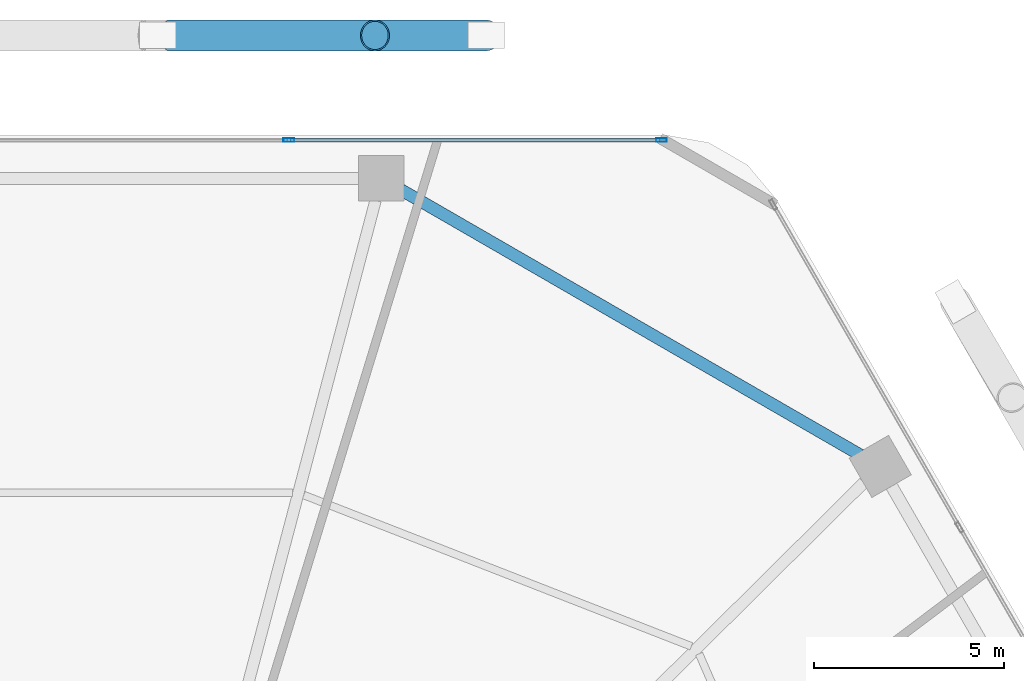
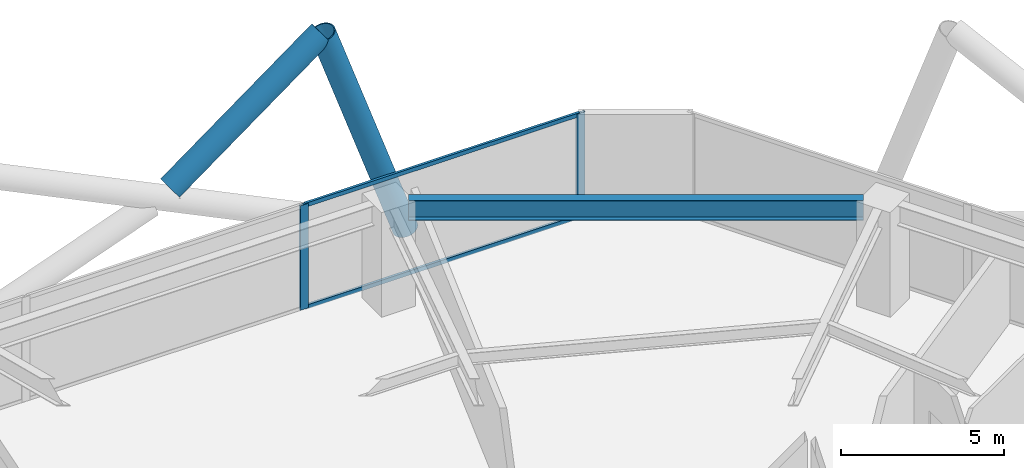
# One storey, part 22 of 29: 6 members, 1 beam, 1 element without a shape of its own.
"""IFC4 building model written with IfcOpenShell, lengths in metres."""

from ifc_helpers import new_model, si_unit, direction, frame, origin, origin_2d, place, context, subcontext, project, spatial, hollow_rectangle, hollow_circle, i_section, extrude, material, material_profile, profile_set, type_object, element, aggregate, save


model = new_model("IFC4")

# Units and contexts
model_context = context("Model", 3, precision=1e-05, world=origin(), true_north=direction((0.0, 1.0)))
body_context = subcontext(model_context, "Body", "Model", "MODEL_VIEW")
ifc_project = project(units=[si_unit("LENGTHUNIT", "METRE"), si_unit("AREAUNIT", "SQUARE_METRE"), si_unit("VOLUMEUNIT", "CUBIC_METRE"), si_unit("PLANEANGLEUNIT", "RADIAN"), si_unit("MASSUNIT", "GRAM", prefix="KILO")], contexts=[model_context])

# Site, building, storey
site_placement = place(None, origin())
site = spatial("IfcSite", under=ifc_project, at=site_placement, CompositionType="ELEMENT")
building_placement = place(site_placement, origin())
building = spatial("IfcBuilding", under=site, at=building_placement, Name="Zuhravey Tower", CompositionType="ELEMENT")
storey_placement = place(building_placement, frame((0.0, 0.0, 41.39990234375)))
storey = spatial("IfcBuildingStorey", under=building, at=storey_placement, Name="L10", CompositionType="ELEMENT", Elevation=41.39990234375)

# Curtain wall, members
ifc_material_1 = material(Name="Thermally broken anodised aluminium", Category="aluminium")
curtain_wall_type = type_object("IfcCurtainWallType", Name="School Low-E Unitised Curtain Wall CW1", PredefinedType="NOTDEFINED", material=ifc_material_1)
curtain_wall_placement = place(storey_placement, origin())
curtain_wall = element("IfcCurtainWall", 1, at=curtain_wall_placement, inside=storey, type_object=curtain_wall_type, Name="L10 CW1 CW-L10-F2-1", PredefinedType="NOTDEFINED")
ifc_material_2 = material(Name="Anodised aluminium", Category="aluminium")
ifc_material_profile_1 = material_profile(ifc_material_2, hollow_rectangle(XDim=0.090087890625, YDim=0.284912109375, WallThickness=0.0048828125, at=origin_2d()), Name="ALU-RHS-90x285x5")
ifc_profile_set_1 = profile_set([ifc_material_profile_1], Name="Anodised aluminium")
member_type_1 = type_object("IfcMemberType", Name="Curtain-Wall Mullion 90x180", PredefinedType="MULLION", material=ifc_profile_set_1)
member_1_placement = place(storey_placement, frame((40.93310546875, 60.95849609375, 0.0), z_axis=(0.0, 0.0, 1.0), x_axis=(0.0, 1.0, 0.0)))
member_1 = element("IfcMember", 2, at=member_1_placement, type_object=member_type_1, Name="CW1 mullion 3", PredefinedType="MULLION", context=body_context, shape_type="SweptSolid", body=[
    extrude(hollow_rectangle(XDim=0.090087890625, YDim=0.284912109375, WallThickness=0.0048828125, at=origin_2d()), origin(), (0.0, 0.0, 1.0), 3.920166015625),
])
member_2_placement = place(storey_placement, frame((50.75439453125, 60.95849609375, 0.0), z_axis=(0.0, 0.0, 1.0), x_axis=(0.0, 1.0, 0.0)))
member_2 = element("IfcMember", 3, at=member_2_placement, type_object=member_type_1, Name="CW1 mullion 4", PredefinedType="MULLION", context=body_context, shape_type="SweptSolid", body=[
    extrude(hollow_rectangle(XDim=0.090087890625, YDim=0.284912109375, WallThickness=0.0048828125, at=origin_2d()), origin(), (0.0, 0.0, 1.0), 3.920166015625),
])
ifc_material_profile_2 = material_profile(ifc_material_2, hollow_rectangle(XDim=0.090087890625, YDim=0.14990234375, WallThickness=0.0048828125, at=origin_2d()), Name="ALU-RHS-90x150x5")
ifc_profile_set_2 = profile_set([ifc_material_profile_2], Name="Anodised aluminium")
member_type_2 = type_object("IfcMemberType", Name="Curtain-Wall Transom 90x150", PredefinedType="USERDEFINED", material=ifc_profile_set_2)
member_3_placement = place(storey_placement, frame((40.978271484375, 60.95849609375, 0.045166015625), z_axis=(1.0, 0.0, 0.0), x_axis=(0.0, 1.0, 0.0)))
member_3 = element("IfcMember", 4, at=member_3_placement, type_object=member_type_2, Name="CW1 transom 3.1", ObjectType="TRANSOM", PredefinedType="USERDEFINED", context=body_context, shape_type="SweptSolid", body=[
    extrude(hollow_rectangle(XDim=0.090087890625, YDim=0.14990234375, WallThickness=0.0048828125, at=origin_2d()), origin(), (0.0, 0.0, 1.0), 9.731201171875),
])
member_4_placement = place(storey_placement, frame((40.978271484375, 60.95849609375, 3.875), z_axis=(1.0, 0.0, 0.0), x_axis=(0.0, 1.0, 0.0)))
member_4 = element("IfcMember", 5, at=member_4_placement, type_object=member_type_2, Name="CW1 transom 3.2", ObjectType="TRANSOM", PredefinedType="USERDEFINED", context=body_context, shape_type="SweptSolid", body=[
    extrude(hollow_rectangle(XDim=0.090087890625, YDim=0.14990234375, WallThickness=0.0048828125, at=origin_2d()), origin(), (0.0, 0.0, 1.0), 9.731201171875),
])
aggregate(curtain_wall, [member_1, member_2, member_3, member_4])

# Members
ifc_material_3 = material(Name="Steel SM460", Category="steel")
ifc_material_profile_3 = material_profile(ifc_material_3, hollow_circle(Radius=0.406494140625, WallThickness=0.035888671875, at=origin_2d()), Name="CHS-812.8x36")
ifc_profile_set_3 = profile_set([ifc_material_profile_3], Name="Steel SM460")
member_type_3 = type_object("IfcMemberType", Name="Exoskeleton Zone 1 Diagrid CHS813x36", PredefinedType="BRACE", material=ifc_profile_set_3)
member_5_placement = place(storey_placement, frame((46.129150390625, 63.718505859375, -0.471923828125), z_axis=(-0.330642732694, 0.0, 0.943755997764), x_axis=(0.0, -1.0, 0.0)))
element("IfcMember", 6, at=member_5_placement, inside=storey, type_object=member_type_3, Name="L10 Face 2 Diagrid Brace 1", PredefinedType="BRACE", context=body_context, shape_type="SweptSolid", body=[
    extrude(hollow_circle(Radius=0.406494140625, WallThickness=0.035888671875, at=origin_2d()), origin(), (0.0, 0.0, 1.0), 8.85400390625),
])
member_6_placement = place(storey_placement, frame((37.791259765625, 63.718505859375, 3.940673828125), z_axis=(0.806163372301, 0.0, 0.59169300922), x_axis=(0.0, 1.0, 0.0)))
element("IfcMember", 7, at=member_6_placement, inside=storey, type_object=member_type_3, Name="L10 Face 2 Split Diagrid Brace 3B", PredefinedType="BRACE", context=body_context, shape_type="SweptSolid", body=[
    extrude(hollow_circle(Radius=0.406494140625, WallThickness=0.035888671875, at=origin_2d()), origin(), (0.0, 0.0, 1.0), 6.6513671875),
])

# Beam
ifc_material_4 = material(Name="Steel SM355", Category="steel")
ifc_material_profile_4 = material_profile(ifc_material_4, i_section(OverallWidth=0.320068359375, OverallDepth=0.75, WebThickness=0.013916015625, FlangeThickness=0.02490234375, at=origin_2d()), Name="H-750x320x14x25")
ifc_profile_set_4 = profile_set([ifc_material_profile_4], Name="Steel SM355")
beam_type = type_object("IfcBeamType", Name="Perimeter Ring Beam H750x320", PredefinedType="BEAM", material=ifc_profile_set_4)
beam_placement = place(storey_placement, frame((55.996826171875, 52.658447265625, 3.545166015625), z_axis=(-0.866029969761, 0.499992091414, 0.0), x_axis=(-0.499992091414, -0.866029969761, 0.0)))
element("IfcBeam", 8, at=beam_placement, inside=storey, type_object=beam_type, Name="L10 PB1 BM-L10-PB-02", PredefinedType="BEAM", context=body_context, shape_type="SweptSolid", body=[
    extrude(i_section(OverallWidth=0.320068359375, OverallDepth=0.75, WebThickness=0.013916015625, FlangeThickness=0.02490234375, at=origin_2d()), origin(), (0.0, 0.0, 1.0), 13.977294921875),
])

save(model, "model.ifc")
